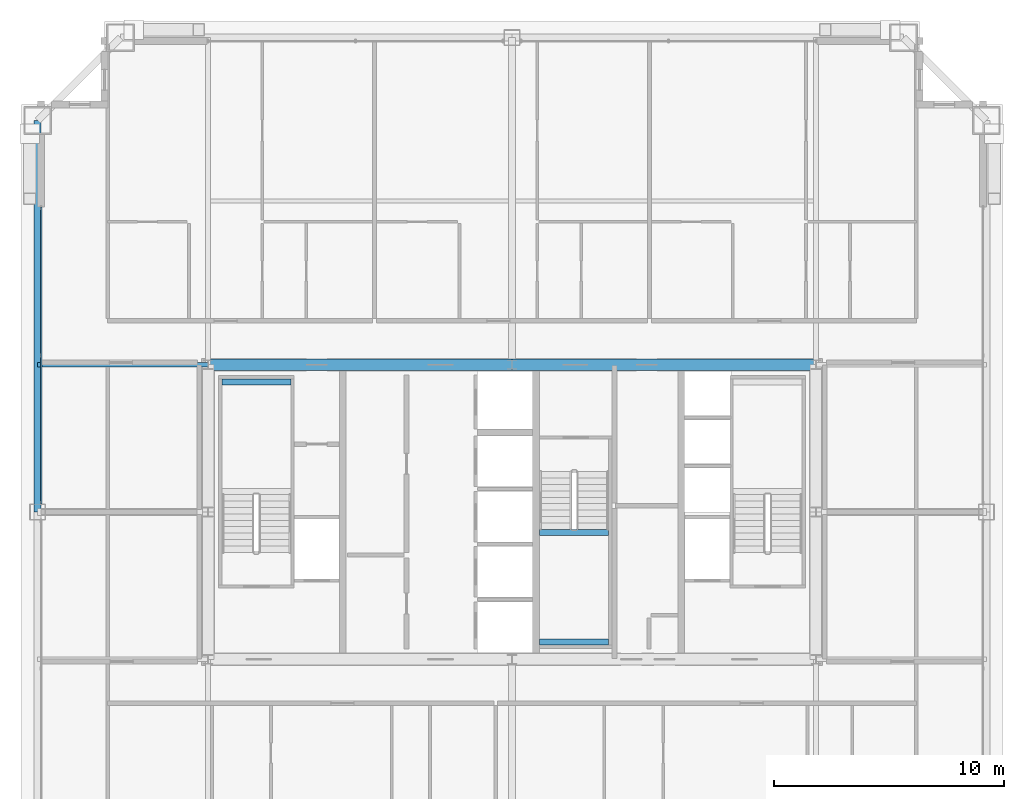
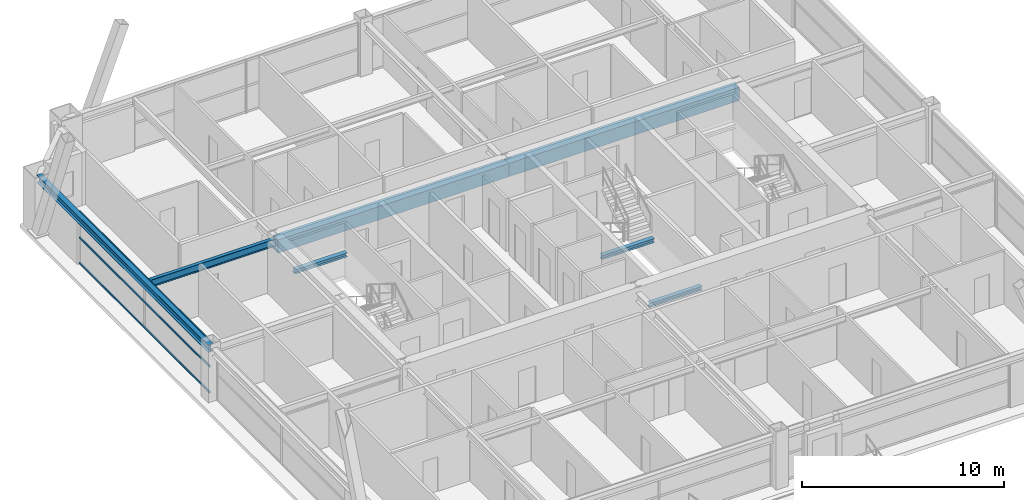
# One storey, part 13 of 36: 7 beams, 3 members, 1 element without a shape of its own.
"""IFC4 building model written with IfcOpenShell, lengths in metres."""

from ifc_helpers import new_model, si_unit, direction, frame, origin, origin_2d, place, context, subcontext, project, spatial, rectangle, hollow_rectangle, i_section, extrude, source, transform, mapped, material, layer, layer_set, material_profile, profile_set, type_object, element, aggregate, save


model = new_model("IFC4")

# Units and contexts
model_context = context("Model", 3, precision=1e-05, world=origin(), true_north=direction((0.0, 1.0)))
body_context = subcontext(model_context, "Body", "Model", "MODEL_VIEW")
ifc_project = project(units=[si_unit("LENGTHUNIT", "METRE"), si_unit("AREAUNIT", "SQUARE_METRE"), si_unit("VOLUMEUNIT", "CUBIC_METRE"), si_unit("PLANEANGLEUNIT", "RADIAN"), si_unit("MASSUNIT", "GRAM", prefix="KILO"), si_unit("THERMODYNAMICTEMPERATUREUNIT", "KELVIN"), si_unit("POWERUNIT", "WATT")], contexts=[model_context])

# Site, building, storey
site_placement = place(None, origin())
site = spatial("IfcSite", under=ifc_project, at=site_placement, CompositionType="ELEMENT")
building_placement = place(site_placement, origin())
building = spatial("IfcBuilding", under=site, at=building_placement, Name="Yuzanri Waterfront Tower", CompositionType="ELEMENT")
storey_placement = place(building_placement, frame((0.0, 0.0, 255.60009765625)))
storey = spatial("IfcBuildingStorey", under=building, at=storey_placement, Name="L68", CompositionType="ELEMENT", Elevation=255.60009765625)

# Beams
ifc_material_1 = material(Name="Concrete C50", Category="concrete")
ifc_material_profile_1 = material_profile(ifc_material_1, rectangle(XDim=0.5, YDim=0.800048828125, at=origin_2d()), Name="RC 500x800")
ifc_profile_set_1 = profile_set([ifc_material_profile_1], Name="Concrete C50")
beam_type_1 = type_object("IfcBeamType", Name="Core Coupling Lintel Concrete C50 500x800", PredefinedType="LINTEL", material=ifc_profile_set_1)
shared_shape_1 = source(origin(), body_context, "Body", "SweptSolid", [
    extrude(rectangle(XDim=0.5, YDim=0.800048828125, at=origin_2d()), origin(), (0.0, 0.0, 1.0), 13.199951171875),
])
for number, where, z_axis, x_axis, name in (
    (1, (23.800048828125, 32.199951171875, 2.7998046875), (1.0, 0.0, 0.0), (0.0, 1.0, 0.0), "L68 Core Tie Beam CN1"),
    (2, (37.0, 32.199951171875, 2.7998046875), (1.0, 0.0, 0.0), (0.0, 1.0, 0.0), "L68 Core Tie Beam CN2"),
):
    element("IfcBeam", number, at=place(storey_placement, frame(where, z_axis=z_axis, x_axis=x_axis)), inside=storey, type_object=beam_type_1, Name=name, PredefinedType="LINTEL", context=body_context, shape_type="MappedRepresentation", body=[
        mapped(shared_shape_1, transform((0.0, 0.0, 0.0), scale=1.0)),
    ])
ifc_material_2 = material(Name="Steel Q355B", Category="steel")
ifc_material_profile_2 = material_profile(ifc_material_2, i_section(OverallWidth=0.300048828125, OverallDepth=0.43994140625, WebThickness=0.010986328125, FlangeThickness=0.01806640625, at=origin_2d()), Name="HM 440x300x11x18")
ifc_profile_set_2 = profile_set([ifc_material_profile_2], Name="Steel Q355B")
beam_type_2 = type_object("IfcBeamType", Name="Perimeter Spandrel Q355B HM 440x300", PredefinedType="SPANDREL", material=ifc_profile_set_2)
shared_shape_2 = source(origin(), body_context, "Body", "SweptSolid", [
    extrude(i_section(OverallWidth=0.300048828125, OverallDepth=0.43994140625, WebThickness=0.010986328125, FlangeThickness=0.01806640625, at=origin_2d()), origin(), (0.0, 0.0, 1.0), 17.0),
])
beam_1_placement = place(storey_placement, frame((16.39990234375, 42.800048828125, 2.97998046875), z_axis=(0.0, -1.0, 0.0), x_axis=(1.0, 0.0, 0.0)))
element("IfcBeam", 3, at=beam_1_placement, inside=storey, type_object=beam_type_2, Name="L68 Perimeter Spandrel W3-W2", PredefinedType="SPANDREL", context=body_context, shape_type="MappedRepresentation", body=[
    mapped(shared_shape_2, transform((0.0, 0.0, 0.0), scale=1.0)),
])
ifc_material_3 = material(Name="Steel Q355B", Category="steel")
ifc_material_profile_3 = material_profile(ifc_material_3, i_section(OverallWidth=0.199951171875, OverallDepth=0.449951171875, WebThickness=0.009033203125, FlangeThickness=0.013916015625, at=origin_2d()), Name="HN 450x200x9x14")
ifc_profile_set_3 = profile_set([ifc_material_profile_3], Name="Steel Q355B")
beam_type_3 = type_object("IfcBeamType", Name="Secondary Floor Beam Q355B HN 450x200", PredefinedType="BEAM", material=ifc_profile_set_3)
shared_shape_3 = source(origin(), body_context, "Body", "SweptSolid", [
    extrude(i_section(OverallWidth=0.199951171875, OverallDepth=0.449951171875, WebThickness=0.009033203125, FlangeThickness=0.013916015625, at=origin_2d()), origin(), (0.0, 0.0, 1.0), 7.400146484375),
])
beam_2_placement = place(storey_placement, frame((23.800048828125, 32.199951171875, 2.974853515625), z_axis=(-1.0, 0.0, 0.0), x_axis=(0.0, -1.0, 0.0)))
element("IfcBeam", 4, at=beam_2_placement, inside=storey, type_object=beam_type_3, Name="L68 West-North Core Line Beam", PredefinedType="BEAM", context=body_context, shape_type="MappedRepresentation", body=[
    mapped(shared_shape_3, transform((0.0, 0.0, 0.0), scale=1.0)),
])

# Curtain wall, members
ifc_material_4 = material(Name="Anodized Architectural Bronze", Category="metal")
ifc_layer = layer(ifc_material_4, 0.159912109375)
ifc_layer_set = layer_set([ifc_layer], Name="Anodized Architectural Bronze")
curtain_wall_type = type_object("IfcCurtainWallType", Name="Anodized Bronze Mid-Rise Residential Acoustic Unitized Curtain Wall 7200", PredefinedType="NOTDEFINED", material=ifc_layer_set)
curtain_wall_placement = place(storey_placement, origin())
curtain_wall = element("IfcCurtainWall", 5, at=curtain_wall_placement, inside=storey, type_object=curtain_wall_type, Name="L68 Curtain Wall CW-L68-WR", PredefinedType="NOTDEFINED")
ifc_material_5 = material(Name="Anodized Architectural Bronze", Category="metal")
ifc_material_profile_4 = material_profile(ifc_material_5, hollow_rectangle(XDim=0.06494140625, YDim=0.1201171875, WallThickness=0.00341796875, at=origin_2d()), Name="CWT 65x120")
ifc_profile_set_4 = profile_set([ifc_material_profile_4], Name="Anodized Architectural Bronze")
member_type = type_object("IfcMemberType", Name="Anodized Bronze Secondary Curtain-Wall Transom 65x120", PredefinedType="USERDEFINED", material=ifc_profile_set_4)
shared_shape_4 = source(origin(), body_context, "Body", "SweptSolid", [
    extrude(hollow_rectangle(XDim=0.06494140625, YDim=0.1201171875, WallThickness=0.00341796875, at=origin_2d()), origin(), (0.0, 0.0, 1.0), 12.900146484375),
])
member_1_placement = place(storey_placement, frame((16.550048828125, 26.14990234375, 0.0498046875), z_axis=(0.0, 1.0, 0.0), x_axis=(-1.0, 0.0, 0.0)))
member_1 = element("IfcMember", 6, at=member_1_placement, type_object=member_type, Name="CW-L68-WR Transom 1", ObjectType="TRANSOM", PredefinedType="USERDEFINED", context=body_context, shape_type="MappedRepresentation", body=[
    mapped(shared_shape_4, transform((0.0, 0.0, 0.0), scale=1.0)),
])
member_2_placement = place(storey_placement, frame((16.550048828125, 26.14990234375, 1.599853515625), z_axis=(0.0, 1.0, 0.0), x_axis=(-1.0, 0.0, 0.0)))
member_2 = element("IfcMember", 7, at=member_2_placement, type_object=member_type, Name="CW-L68-WR Transom 2", ObjectType="TRANSOM", PredefinedType="USERDEFINED", context=body_context, shape_type="MappedRepresentation", body=[
    mapped(shared_shape_4, transform((0.0, 0.0, 0.0), scale=1.0)),
])
member_3_placement = place(storey_placement, frame((16.550048828125, 26.14990234375, 3.14990234375), z_axis=(0.0, 1.0, 0.0), x_axis=(-1.0, 0.0, 0.0)))
member_3 = element("IfcMember", 8, at=member_3_placement, type_object=member_type, Name="CW-L68-WR Transom 3", ObjectType="TRANSOM", PredefinedType="USERDEFINED", context=body_context, shape_type="MappedRepresentation", body=[
    mapped(shared_shape_4, transform((0.0, 0.0, 0.0), scale=1.0)),
])
aggregate(curtain_wall, [member_1, member_2, member_3])

# Beams
ifc_material_6 = material(Name="Steel Q355B", Category="steel")
ifc_material_profile_5 = material_profile(ifc_material_6, i_section(OverallWidth=0.25, OverallDepth=0.25, WebThickness=0.009033203125, FlangeThickness=0.013916015625, at=origin_2d()), Name="HW 250x250x9x14")
ifc_profile_set_5 = profile_set([ifc_material_profile_5], Name="Steel Q355B")
beam_type_4 = type_object("IfcBeamType", Name="Stair Landing Support Beam Q355B HW 250x250", PredefinedType="BEAM", material=ifc_profile_set_5)
shared_shape_5 = source(origin(), body_context, "Body", "SweptSolid", [
    extrude(i_section(OverallWidth=0.25, OverallDepth=0.25, WebThickness=0.009033203125, FlangeThickness=0.013916015625, at=origin_2d()), origin(), (0.0, 0.0, 1.0), 3.0),
])
for number, where, z_axis, x_axis, name in (
    (9, (24.39990234375, 31.449951171875, 1.4248046875), (1.0, 0.0, 0.0), (0.0, 1.0, 0.0), "L68 Stair Landing Support Beam ST-01-L68-L1-2"),
    (10, (38.199951171875, 20.14990234375, 1.4248046875), (1.0, 0.0, 0.0), (0.0, 1.0, 0.0), "L68 Stair Landing Support Beam ST-03-L68-L1-1"),
    (11, (38.199951171875, 24.909912109375, 1.4248046875), (1.0, 0.0, 0.0), (0.0, 1.0, 0.0), "L68 Stair Landing Support Beam ST-03-L68-L1-2"),
):
    element("IfcBeam", number, at=place(storey_placement, frame(where, z_axis=z_axis, x_axis=x_axis)), inside=storey, type_object=beam_type_4, Name=name, PredefinedType="BEAM", context=body_context, shape_type="MappedRepresentation", body=[
        mapped(shared_shape_5, transform((0.0, 0.0, 0.0), scale=1.0)),
    ])

save(model, "model.ifc")
